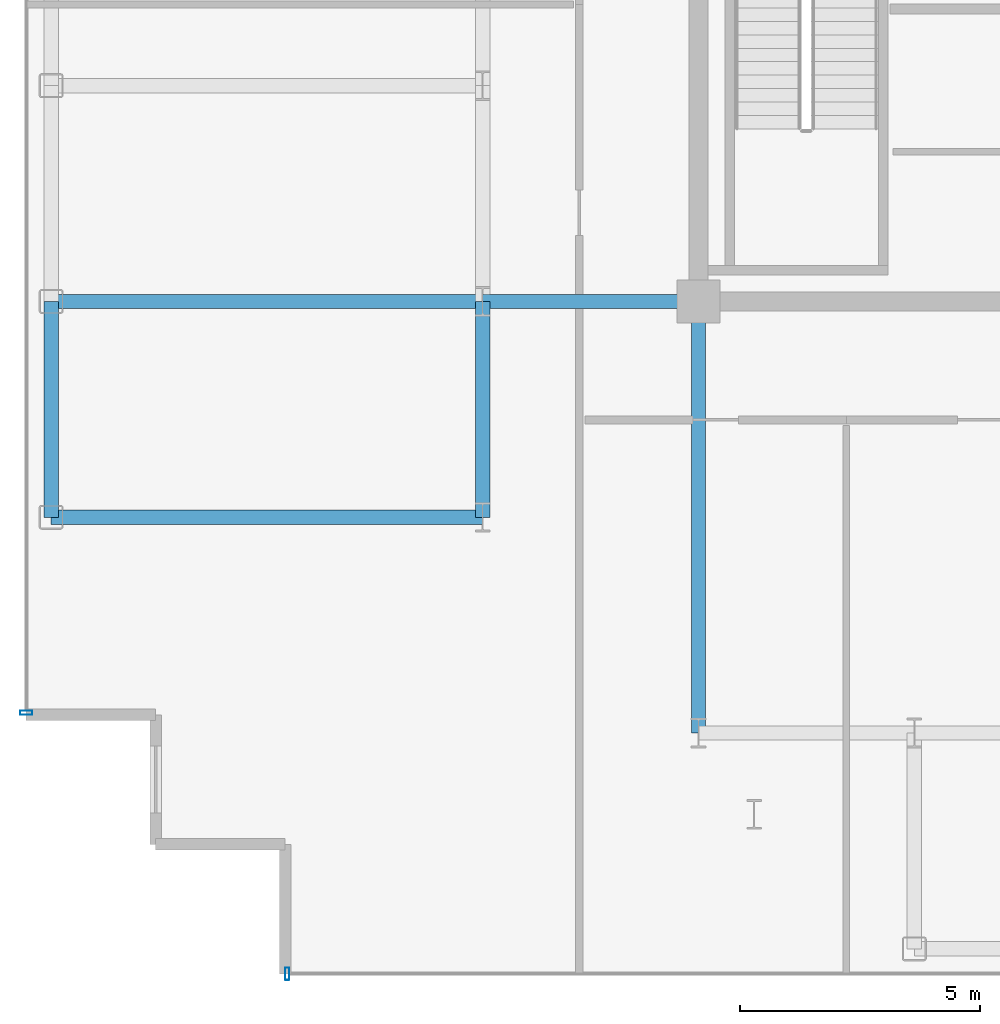
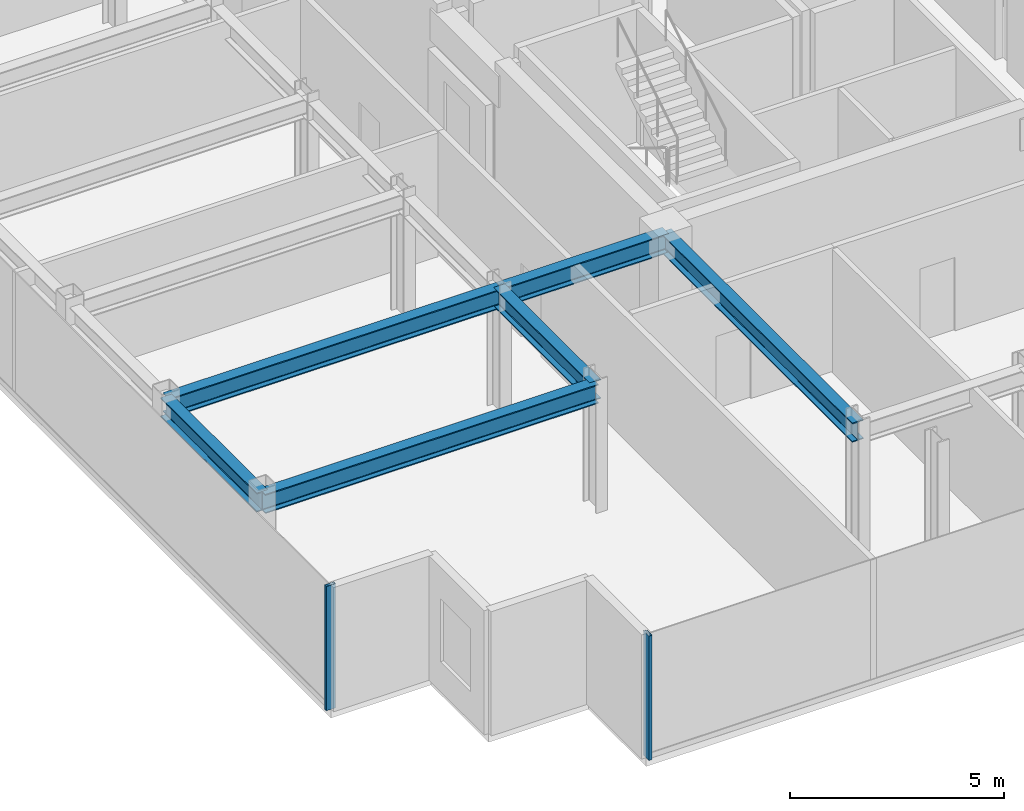
# One storey, part 2 of 17: 6 beams, 2 members, 2 elements without a shape of their own.
"""IFC4 building model written with IfcOpenShell, lengths in metres."""

import ifcopenshell
import ifcopenshell.guid

model = None  # the IFC model being written
_history = None  # IfcOwnerHistory: only IFC2X3 demands one
_inside = {}  # id of a spatial element -> (the spatial element, [elements in it])
_under = {}  # id of a project, library or spatial element -> (it, [spatial elements below it])
_declared = {}  # id of a project -> (the project, [libraries it declares])
_typed = {}  # id of a type object -> (the type object, [elements of that type])
_made_of = {}  # id of a material, layer set ... -> (it, [elements and type objects made of it])


def new_model(schema):
    """Start an empty IFC model of exactly this schema.

    Asked for "IFC4X3", IfcOpenShell would pick the latest addendum, in which some entities
    have other attributes; the version numbers below select the first issue.
    IFC2X3 requires an IfcOwnerHistory on every rooted entity: one is made here for all.
    """
    global model, _history
    if schema == "IFC4X3":
        model = ifcopenshell.file(schema_version=(4, 3, 0, 0))
    else:
        model = ifcopenshell.file(schema=schema)
    _inside.clear()
    _under.clear()
    _declared.clear()
    _typed.clear()
    _made_of.clear()
    _history = None
    if model.schema == "IFC2X3":
        org = make("IfcOrganization", Name="unknown")
        user = make(
            "IfcPersonAndOrganization",
            ThePerson=make("IfcPerson", FamilyName="unknown"),
            TheOrganization=org,
        )
        app = make(
            "IfcApplication",
            ApplicationDeveloper=org,
            Version="unknown",
            ApplicationFullName="unknown",
            ApplicationIdentifier="unknown",
        )
        _history = make(
            "IfcOwnerHistory",
            OwningUser=user,
            OwningApplication=app,
            ChangeAction="ADDED",
            CreationDate=0,
        )
    return model


def make(cls, **values):
    """One entity of the class cls with the attributes given. An attribute that is None is left unset."""
    return model.create_entity(
        cls, **{name: value for name, value in values.items() if value is not None}
    )


def rooted(cls, **values):
    """An entity with a GlobalId (a new one), such as an element, a storey or a relation."""
    return make(cls, GlobalId=ifcopenshell.guid.new(), OwnerHistory=_history, **values)


def si_unit(unit_type, name, prefix=None):
    """IfcSIUnit, for example si_unit("LENGTHUNIT", "METRE", prefix="MILLI")."""
    return make("IfcSIUnit", UnitType=unit_type, Prefix=prefix, Name=name)


def assignment(units):
    """IfcUnitAssignment: the units of a project."""
    return None if units is None else make("IfcUnitAssignment", Units=units)


def point(xyz):
    """IfcCartesianPoint."""
    return None if xyz is None else make("IfcCartesianPoint", Coordinates=xyz)


def direction(xyz):
    """IfcDirection."""
    return None if xyz is None else make("IfcDirection", DirectionRatios=xyz)


def frame(location, z_axis=None, x_axis=None):
    """IfcAxis2Placement3D, a coordinate frame: its origin and axes. An axis left out is left unset."""
    return make(
        "IfcAxis2Placement3D",
        Location=point(location),
        Axis=direction(z_axis),
        RefDirection=direction(x_axis),
    )


def frame_2d(location, x_axis=None):
    """IfcAxis2Placement2D, a coordinate frame in the plane: its origin and x axis."""
    return make(
        "IfcAxis2Placement2D", Location=point(location), RefDirection=direction(x_axis)
    )


def origin():
    """The frame at (0, 0, 0) with its axes left unset."""
    return frame((0.0, 0.0, 0.0))


def origin_2d():
    """The frame at (0, 0) in the plane with its x axis left unset."""
    return frame_2d((0.0, 0.0))


def place(relative_to, where):
    """IfcLocalPlacement: puts the frame where relative to a parent placement (None: the world)."""
    return make(
        "IfcLocalPlacement", PlacementRelTo=relative_to, RelativePlacement=where
    )


def context(
    kind, dimensions, precision=None, world=None, true_north=None, identifier=None
):
    """IfcGeometricRepresentationContext, for example the 3D "Model" context."""
    return make(
        "IfcGeometricRepresentationContext",
        ContextIdentifier=identifier,
        ContextType=kind,
        CoordinateSpaceDimension=dimensions,
        Precision=precision,
        WorldCoordinateSystem=world,
        TrueNorth=true_north,
    )


def subcontext(parent, identifier, kind, view, scale=None):
    """IfcGeometricRepresentationSubContext, for example "Body" below "Model"."""
    return make(
        "IfcGeometricRepresentationSubContext",
        ContextIdentifier=identifier,
        ContextType=kind,
        ParentContext=parent,
        TargetScale=scale,
        TargetView=view,
    )


def project(units=None, contexts=None):
    """IfcProject with its units and contexts."""
    return rooted(
        "IfcProject",
        Name="project",
        RepresentationContexts=contexts,
        UnitsInContext=assignment(units),
    )


def spatial(cls, under=None, at=None, **own):
    """A site, building, storey or space (cls), placed at a placement, below another one or the project."""
    s = rooted(cls, ObjectPlacement=at, **own)
    if under is not None:
        _under.setdefault(under.id(), (under, []))[1].append(s)
    return s


def profile(cls, at=None, kind="AREA", **sizes):
    """A parametric profile (cls). Its sizes go by their IFC names, for example OverallWidth=200.0."""
    return make(cls, ProfileType=kind, Position=at, **sizes)


def hollow_rectangle(**sizes):
    """IfcRectangleHollowProfileDef."""
    return profile("IfcRectangleHollowProfileDef", **sizes)


def i_section(**sizes):
    """IfcIShapeProfileDef."""
    return profile("IfcIShapeProfileDef", **sizes)


def extrude(swept, where, along, depth):
    """IfcExtrudedAreaSolid: the profile swept, set in the frame where, extruded along a direction by depth."""
    return make(
        "IfcExtrudedAreaSolid",
        SweptArea=swept,
        Position=where,
        ExtrudedDirection=direction(along),
        Depth=depth,
    )


def shape(context_of_items, identifier, shape_type, items):
    """IfcShapeRepresentation: the items that make up one representation, for example the "Body"."""
    return make(
        "IfcShapeRepresentation",
        ContextOfItems=context_of_items,
        RepresentationIdentifier=identifier,
        RepresentationType=shape_type,
        Items=items,
    )


def source(mapping_origin, context_of_items, identifier, shape_type, items):
    """IfcRepresentationMap: a shape defined once, which mapped items show again and again."""
    return make(
        "IfcRepresentationMap",
        MappingOrigin=mapping_origin,
        MappedRepresentation=shape(context_of_items, identifier, shape_type, items),
    )


def transform(
    local_origin,
    x_axis=None,
    y_axis=None,
    z_axis=None,
    scale=None,
    scale2=None,
    scale3=None,
    uniform=True,
):
    """IfcCartesianTransformationOperator3D, or its non-uniform kind. x_axis, y_axis, z_axis: its Axis1, 2, 3."""
    if uniform:
        return make(
            "IfcCartesianTransformationOperator3D",
            Axis1=direction(x_axis),
            Axis2=direction(y_axis),
            LocalOrigin=point(local_origin),
            Scale=scale,
            Axis3=direction(z_axis),
        )
    return make(
        "IfcCartesianTransformationOperator3DnonUniform",
        Axis1=direction(x_axis),
        Axis2=direction(y_axis),
        LocalOrigin=point(local_origin),
        Scale=scale,
        Axis3=direction(z_axis),
        Scale2=scale2,
        Scale3=scale3,
    )


def mapped(mapping_source, mapping_target):
    """IfcMappedItem: shows the shape of a source again, moved by a transform."""
    return make(
        "IfcMappedItem", MappingSource=mapping_source, MappingTarget=mapping_target
    )


def material(Name=None, Category=None):
    """IfcMaterial."""
    return make("IfcMaterial", Name=Name, Category=Category)


def layer(
    of_material, thickness, ventilated=None, Name=None, Category=None, Priority=None
):
    """IfcMaterialLayer: one layer of a wall or slab, of a material (None: an air gap)."""
    return make(
        "IfcMaterialLayer",
        Material=of_material,
        LayerThickness=thickness,
        IsVentilated=ventilated,
        Name=Name,
        Category=Category,
        Priority=Priority,
    )


def layer_set(layers, Name=None):
    """IfcMaterialLayerSet."""
    return make("IfcMaterialLayerSet", MaterialLayers=layers, LayerSetName=Name)


def material_profile(
    of_material, cross_section, Name=None, Category=None, Priority=None
):
    """IfcMaterialProfile: a cross section and its material."""
    return make(
        "IfcMaterialProfile",
        Name=Name,
        Material=of_material,
        Profile=cross_section,
        Priority=Priority,
        Category=Category,
    )


def profile_set(profiles, Name=None, composite=None):
    """IfcMaterialProfileSet."""
    return make(
        "IfcMaterialProfileSet",
        Name=Name,
        MaterialProfiles=profiles,
        CompositeProfile=composite,
    )


def made_of(thing, what):
    """Note that an element or type object is made of a material, layer set ...; save() writes the relation."""
    if what is not None:
        _made_of.setdefault(what.id(), (what, []))[1].append(thing)
    return thing


def type_object(cls, material=None, **own):
    """A type object (cls), such as IfcWallType, which elements share."""
    return made_of(rooted(cls, **own), material)


def element(
    cls,
    number,
    at=None,
    inside=None,
    cuts=None,
    type_object=None,
    material=None,
    context=None,
    identifier="Body",
    shape_type=None,
    held_by="IfcProductDefinitionShape",
    body=None,
    shapes=None,
    **own,
):
    """One element of the class cls, such as IfcWall. Its Tag is "e" and its number.

    at: its placement. inside: the storey or other place that contains it. cuts: it is an
    opening in that element (IfcRelVoidsElement). A single representation is given by context,
    identifier, shape_type and body (its items); several are given by shapes. held_by: the class
    of the entity that holds the representations. save() writes the other relations.
    """
    e = rooted(cls, Tag="e%d" % number, ObjectPlacement=at, **own)
    if body is not None:
        shapes = [shape(context, identifier, shape_type, body)]
    if shapes is not None:
        e.Representation = make(held_by, Representations=shapes)
    if inside is not None:
        _inside.setdefault(inside.id(), (inside, []))[1].append(e)
    if cuts is not None:
        rooted(
            "IfcRelVoidsElement", RelatingBuildingElement=cuts, RelatedOpeningElement=e
        )
    if type_object is not None:
        _typed.setdefault(type_object.id(), (type_object, []))[1].append(e)
    return made_of(e, material)


def aggregate(whole, parts):
    """IfcRelAggregates: a whole, such as a stair, and the parts it consists of."""
    return rooted("IfcRelAggregates", RelatingObject=whole, RelatedObjects=parts)


def save(model, path):
    """Write the relations noted so far, then the file.

    IfcRelAggregates (storeys below a building ...), IfcRelContainedInSpatialStructure (elements
    in a storey), IfcRelDefinesByType, IfcRelAssociatesMaterial and IfcRelDeclares: one each for
    every whole, place, type object, material and project.
    """
    for whole, parts in _under.values():
        aggregate(whole, parts)
    for where, things in _inside.values():
        rooted(
            "IfcRelContainedInSpatialStructure",
            RelatedElements=things,
            RelatingStructure=where,
        )
    for kind, things in _typed.values():
        rooted("IfcRelDefinesByType", RelatedObjects=things, RelatingType=kind)
    for what, things in _made_of.values():
        rooted("IfcRelAssociatesMaterial", RelatedObjects=things, RelatingMaterial=what)
    for by, libraries in _declared.values():
        rooted("IfcRelDeclares", RelatingContext=by, RelatedDefinitions=libraries)
    model.write(path)


model = new_model("IFC4")

# Units and contexts
model_context = context("Model", 3, precision=1e-05, world=origin(), true_north=direction((0.0, 1.0)))
body_context = subcontext(model_context, "Body", "Model", "MODEL_VIEW")
ifc_project = project(units=[si_unit("LENGTHUNIT", "METRE"), si_unit("AREAUNIT", "SQUARE_METRE"), si_unit("VOLUMEUNIT", "CUBIC_METRE"), si_unit("PLANEANGLEUNIT", "RADIAN"), si_unit("MASSUNIT", "GRAM", prefix="KILO")], contexts=[model_context])

# Site, building, storey
site_placement = place(None, origin())
site = spatial("IfcSite", under=ifc_project, at=site_placement, CompositionType="ELEMENT")
building_placement = place(site_placement, origin())
building = spatial("IfcBuilding", under=site, at=building_placement, Name="Nefas-Gora Pilgrimage Tower", CompositionType="ELEMENT")
storey_placement = place(building_placement, frame((0.0, 0.0, 337.60009765625)))
storey = spatial("IfcBuildingStorey", under=building, at=storey_placement, Name="L85", CompositionType="ELEMENT", Elevation=337.60009765625)

# Beams
ifc_material_1 = material(Name="Steel S355", Category="steel")
ifc_material_profile_1 = material_profile(ifc_material_1, i_section(OverallWidth=0.300048828125, OverallDepth=0.550048828125, WebThickness=0.014892578125, FlangeThickness=0.029052734375, FilletRadius=0.027099609375, at=origin_2d()), Name="HEB 550")
ifc_profile_set_1 = profile_set([ifc_material_profile_1], Name="Steel S355")
beam_type_1 = type_object("IfcBeamType", Name="BM-SPN-HEB400", PredefinedType="SPANDREL", material=ifc_profile_set_1)
shared_shape_1 = source(origin(), body_context, "Body", "SweptSolid", [
    extrude(i_section(OverallWidth=0.300048828125, OverallDepth=0.550048828125, WebThickness=0.014892578125, FlangeThickness=0.029052734375, FilletRadius=0.027099609375, at=origin_2d()), origin(), (0.0, 0.0, 1.0), 4.5),
])
beam_placement = place(storey_placement, frame((-24.75, -13.5, 3.27490234375), z_axis=(0.0, 1.0, 0.0), x_axis=(-1.0, 0.0, 0.0)))
element("IfcBeam", 1, at=beam_placement, inside=storey, type_object=beam_type_1, Name="L85 SP-04 beam", PredefinedType="SPANDREL", context=body_context, shape_type="MappedRepresentation", body=[
    mapped(shared_shape_1, transform((0.0, 0.0, 0.0), x_axis=(1.0, 0.0, 0.0), y_axis=(0.0, 1.0, 0.0), z_axis=(0.0, 0.0, 1.0), scale=1.0)),
])
ifc_material_profile_2 = material_profile(ifc_material_1, i_section(OverallWidth=0.300048828125, OverallDepth=0.550048828125, WebThickness=0.014892578125, FlangeThickness=0.029052734375, FilletRadius=0.027099609375, at=origin_2d()), Name="HEB 550")
ifc_profile_set_2 = profile_set([ifc_material_profile_2], Name="Steel S355")
beam_type_2 = type_object("IfcBeamType", Name="BM-GIR-HEB550", PredefinedType="BEAM", material=ifc_profile_set_2)
shared_shape_2 = source(origin(), body_context, "Body", "SweptSolid", [
    extrude(i_section(OverallWidth=0.300048828125, OverallDepth=0.550048828125, WebThickness=0.014892578125, FlangeThickness=0.029052734375, FilletRadius=0.027099609375, at=origin_2d()), origin(), (0.0, 0.0, 1.0), 9.0),
])
for number, where, z_axis, x_axis, name in (
    (2, (-24.75, -13.5, 3.27490234375), (1.0, 0.0, 0.0), (0.0, 1.0, 0.0), "L85 G-05 beam"),
    (3, (-24.75, -9.0, 3.27490234375), (1.0, 0.0, 0.0), (0.0, 1.0, 0.0), "L85 G-05 beam"),
    (4, (-11.25, -18.0, 3.27490234375), (0.0, 1.0, 0.0), (-1.0, 0.0, 0.0), "L85 G-05 beam"),
):
    element("IfcBeam", number, at=place(storey_placement, frame(where, z_axis=z_axis, x_axis=x_axis)), inside=storey, type_object=beam_type_2, Name=name, PredefinedType="BEAM", context=body_context, shape_type="MappedRepresentation", body=[
        mapped(shared_shape_2, transform((0.0, 0.0, 0.0), x_axis=(1.0, 0.0, 0.0), y_axis=(0.0, 1.0, 0.0), z_axis=(0.0, 0.0, 1.0), scale=1.0)),
    ])
shared_shape_3 = source(origin(), body_context, "Body", "SweptSolid", [
    extrude(i_section(OverallWidth=0.300048828125, OverallDepth=0.550048828125, WebThickness=0.014892578125, FlangeThickness=0.029052734375, FilletRadius=0.027099609375, at=origin_2d()), origin(), (0.0, 0.0, 1.0), 4.5),
])
for number, where, z_axis, x_axis, name in (
    (5, (-15.75, -13.5, 3.27490234375), (0.0, 1.0, 0.0), (-1.0, 0.0, 0.0), "L85 G-05 beam"),
    (6, (-15.75, -9.0, 3.27490234375), (1.0, 0.0, 0.0), (0.0, 1.0, 0.0), "L85 G-05 beam"),
):
    element("IfcBeam", number, at=place(storey_placement, frame(where, z_axis=z_axis, x_axis=x_axis)), inside=storey, type_object=beam_type_2, Name=name, PredefinedType="BEAM", context=body_context, shape_type="MappedRepresentation", body=[
        mapped(shared_shape_3, transform((0.0, 0.0, 0.0), x_axis=(1.0, 0.0, 0.0), y_axis=(0.0, 1.0, 0.0), z_axis=(0.0, 0.0, 1.0), scale=1.0)),
    ])

# Curtain wall, member
ifc_material_2 = material(Name="Dark ceramic-fritted solar-control aluminium-glass curtain wall", Category="aluminium")
ifc_layer = layer(ifc_material_2, 0.219970703125)
ifc_layer_set = layer_set([ifc_layer], Name="Dark ceramic-fritted solar-control aluminium-glass curtain wall")
curtain_wall_type = type_object("IfcCurtainWallType", Name="CW-SYS-4", PredefinedType="NOTDEFINED", material=ifc_layer_set)
curtain_wall_1_placement = place(storey_placement, origin())
curtain_wall_1 = element("IfcCurtainWall", 7, at=curtain_wall_1_placement, inside=storey, type_object=curtain_wall_type, Name="L85 Unitised Curtain Wall CW4", PredefinedType="NOTDEFINED")
ifc_material_3 = material(Name="Anodised architectural aluminium", Category="aluminium")
ifc_material_profile_3 = material_profile(ifc_material_3, hollow_rectangle(XDim=0.090087890625, YDim=0.260009765625, WallThickness=0.006103515625, InnerFilletRadius=0.006103515625, OuterFilletRadius=0.011962890625, at=origin_2d()), Name="ALU MULLION 90x260")
ifc_profile_set_3 = profile_set([ifc_material_profile_3], Name="Anodised architectural aluminium")
member_type = type_object("IfcMemberType", Name="CWM-MUL-4", PredefinedType="MULLION", material=ifc_profile_set_3)
shared_shape_4 = source(origin(), body_context, "Body", "SweptSolid", [
    extrude(hollow_rectangle(XDim=0.090087890625, YDim=0.260009765625, WallThickness=0.006103515625, InnerFilletRadius=0.006103515625, OuterFilletRadius=0.011962890625, at=origin_2d()), origin(), (0.0, 0.0, 1.0), 3.5498046875),
])
member_1_placement = place(storey_placement, frame((-25.27001953125, -17.574951171875, 0.0), z_axis=(0.0, 0.0, 1.0), x_axis=(0.0, -1.0, 0.0)))
member_1 = element("IfcMember", 8, at=member_1_placement, type_object=member_type, Name="CW4 Mullion 3", PredefinedType="MULLION", context=body_context, shape_type="MappedRepresentation", body=[
    mapped(shared_shape_4, transform((0.0, 0.0, 0.0), x_axis=(1.0, 0.0, 0.0), y_axis=(0.0, 1.0, 0.0), z_axis=(0.0, 0.0, 1.0), scale=1.0)),
])
aggregate(curtain_wall_1, [member_1])

curtain_wall_2_placement = place(storey_placement, origin())
curtain_wall_2 = element("IfcCurtainWall", 9, at=curtain_wall_2_placement, inside=storey, type_object=curtain_wall_type, Name="L85 Unitised Curtain Wall CW4", PredefinedType="NOTDEFINED")
member_2_placement = place(storey_placement, frame((-19.824951171875, -23.02001953125, 0.0), z_axis=(0.0, 0.0, 1.0), x_axis=(1.0, 0.0, 0.0)))
member_2 = element("IfcMember", 10, at=member_2_placement, type_object=member_type, Name="CW4 Mullion 1", PredefinedType="MULLION", context=body_context, shape_type="MappedRepresentation", body=[
    mapped(shared_shape_4, transform((0.0, 0.0, 0.0), x_axis=(1.0, 0.0, 0.0), y_axis=(0.0, 1.0, 0.0), z_axis=(0.0, 0.0, 1.0), scale=1.0)),
])
aggregate(curtain_wall_2, [member_2])

save(model, "model.ifc")
